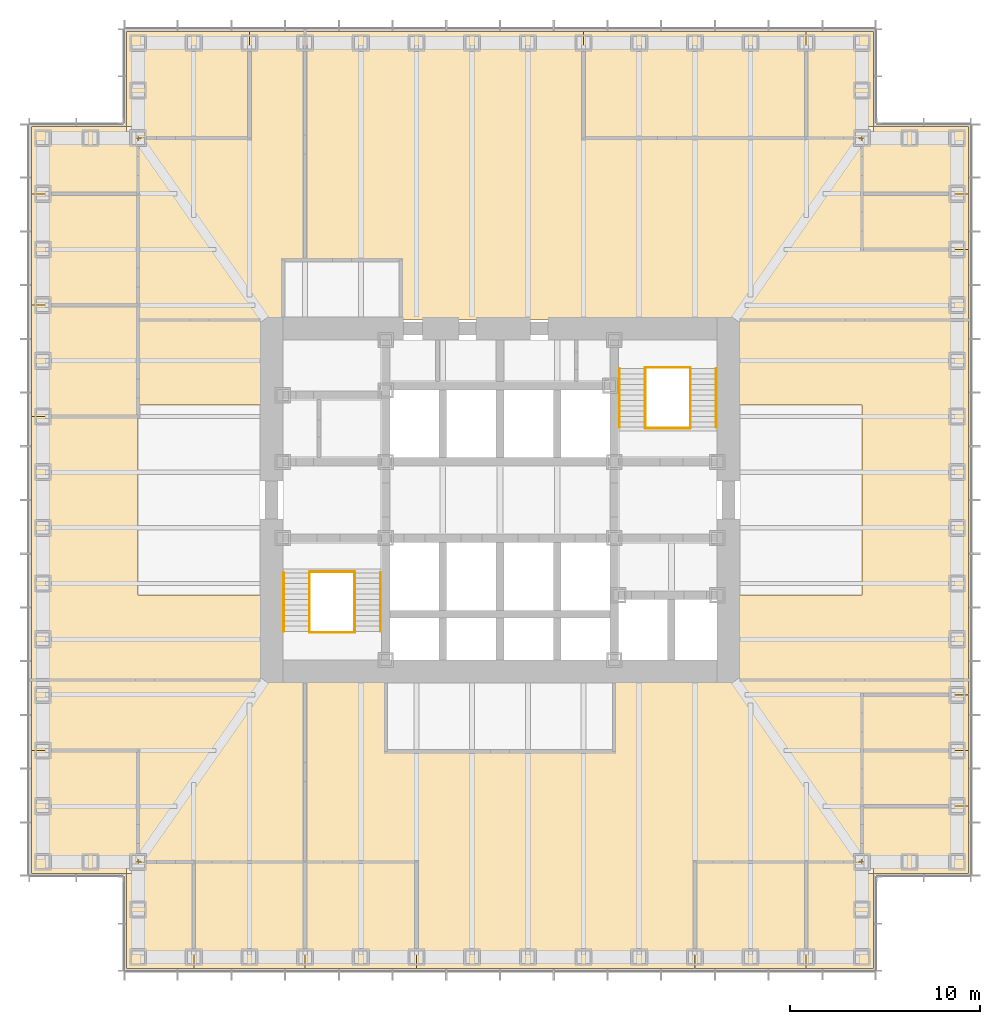
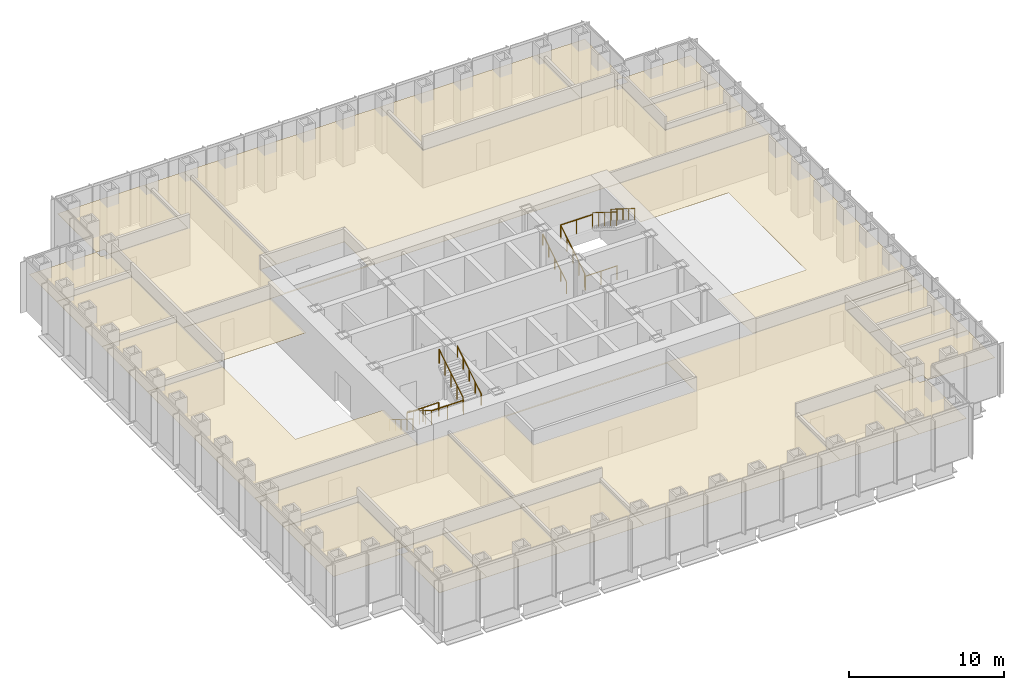
# One storey, part 17 of 17: 24 coverings, 12 railings.
"""IFC4 building model written with IfcOpenShell, lengths in metres."""

from ifc_helpers import new_model, si_unit, direction, frame, origin, origin_2d, place, context, subcontext, project, spatial, polyline, circle, outline, extrude, material, layer, layer_set, type_object, element, save


model = new_model("IFC4")

# Units and contexts
model_context = context("Model", 3, precision=1e-05, world=origin(), true_north=direction((0.0, 1.0)))
body_context = subcontext(model_context, "Body", "Model", "MODEL_VIEW")
ifc_project = project(units=[si_unit("LENGTHUNIT", "METRE"), si_unit("AREAUNIT", "SQUARE_METRE"), si_unit("VOLUMEUNIT", "CUBIC_METRE"), si_unit("PLANEANGLEUNIT", "RADIAN"), si_unit("MASSUNIT", "GRAM", prefix="KILO")], contexts=[model_context])

# Site, building, storey
site_placement = place(None, origin())
site = spatial("IfcSite", under=ifc_project, at=site_placement, CompositionType="ELEMENT")
building_placement = place(site_placement, origin())
building = spatial("IfcBuilding", under=site, at=building_placement, Name="Daluyong Arena Tower", CompositionType="ELEMENT")
storey_placement = place(building_placement, frame((0.0, 0.0, 89.5)))
storey = spatial("IfcBuildingStorey", under=building, at=storey_placement, Name="L19", CompositionType="ELEMENT", Elevation=89.5)

# Coverings
ifc_material_1 = material(Name="Mineral fibre ceiling tile", Category="gypsum board")
ifc_layer = layer(ifc_material_1, 0.02001953125)
ifc_layer_set = layer_set([ifc_layer], Name="Mineral fibre ceiling tile")
covering_type = type_object("IfcCoveringType", Name="Office ceiling", PredefinedType="CEILING", material=ifc_layer_set)
covering_1_placement = place(storey_placement, frame((0.0, 0.0, 2.89990234375)))
element("IfcCovering", 1, at=covering_1_placement, inside=storey, type_object=covering_type, Name="ceiling L19-01", PredefinedType="CEILING", context=body_context, shape_type="SweptSolid", body=[
    extrude(outline(polyline([(36.39990234375, 60.39990234375), (36.39990234375, 55.39990234375), (39.923095703125, 55.39990234375), (39.923095703125, 61.0), (37.0, 61.0), (37.0, 60.39990234375), (36.39990234375, 60.39990234375)])), origin(), (0.0, 0.0, 1.0), 0.02001953125),
])
covering_2_placement = place(storey_placement, frame((0.0, 0.0, 2.89990234375)))
element("IfcCovering", 2, at=covering_2_placement, inside=storey, type_object=covering_type, Name="ceiling L19-02", PredefinedType="CEILING", context=body_context, shape_type="SweptSolid", body=[
    extrude(outline(polyline([(39.923095703125, 61.0), (39.923095703125, 55.39990234375), (45.769287109375, 55.39990234375), (45.769287109375, 61.0), (39.923095703125, 61.0)])), origin(), (0.0, 0.0, 1.0), 0.02001953125),
])
covering_3_placement = place(storey_placement, frame((0.0, 0.0, 2.89990234375)))
element("IfcCovering", 3, at=covering_3_placement, inside=storey, type_object=covering_type, Name="ceiling L19-03", PredefinedType="CEILING", context=body_context, shape_type="SweptSolid", body=[
    extrude(outline(polyline([(45.769287109375, 61.0), (45.769287109375, 55.39990234375), (51.615478515625, 55.39990234375), (51.615478515625, 61.0), (45.769287109375, 61.0)])), origin(), (0.0, 0.0, 1.0), 0.02001953125),
])
covering_4_placement = place(storey_placement, frame((0.0, 0.0, 2.89990234375)))
element("IfcCovering", 4, at=covering_4_placement, inside=storey, type_object=covering_type, Name="ceiling L19-04", PredefinedType="CEILING", context=body_context, shape_type="SweptSolid", body=[
    extrude(outline(polyline([(66.230712890625, 61.0), (66.230712890625, 55.39990234375), (72.076904296875, 55.39990234375), (72.076904296875, 61.0), (66.230712890625, 61.0)])), origin(), (0.0, 0.0, 1.0), 0.02001953125),
])
covering_5_placement = place(storey_placement, frame((0.0, 0.0, 2.89990234375)))
element("IfcCovering", 5, at=covering_5_placement, inside=storey, type_object=covering_type, Name="ceiling L19-05", PredefinedType="CEILING", context=body_context, shape_type="SweptSolid", body=[
    extrude(outline(polyline([(75.60009765625, 55.39990234375), (75.60009765625, 60.39990234375), (75.0, 60.39990234375), (75.0, 61.0), (72.076904296875, 61.0), (72.076904296875, 55.39990234375), (75.60009765625, 55.39990234375)])), origin(), (0.0, 0.0, 1.0), 0.02001953125),
])
covering_6_placement = place(storey_placement, frame((0.0, 0.0, 2.89990234375)))
element("IfcCovering", 6, at=covering_6_placement, inside=storey, type_object=covering_type, Name="ceiling L19-06", PredefinedType="CEILING", context=body_context, shape_type="SweptSolid", body=[
    extrude(outline(polyline([(75.60009765625, 60.39990234375), (80.60009765625, 60.39990234375), (80.60009765625, 63.923095703125), (75.0, 63.923095703125), (75.0, 61.0), (75.60009765625, 61.0), (75.60009765625, 60.39990234375)])), origin(), (0.0, 0.0, 1.0), 0.02001953125),
])
covering_7_placement = place(storey_placement, frame((0.0, 0.0, 2.89990234375)))
element("IfcCovering", 7, at=covering_7_placement, inside=storey, type_object=covering_type, Name="ceiling L19-07", PredefinedType="CEILING", context=body_context, shape_type="SweptSolid", body=[
    extrude(outline(polyline([(75.0, 63.923095703125), (80.60009765625, 63.923095703125), (80.60009765625, 66.84619140625), (75.0, 66.84619140625), (75.0, 63.923095703125)])), origin(), (0.0, 0.0, 1.0), 0.02001953125),
])
covering_8_placement = place(storey_placement, frame((0.0, 0.0, 2.89990234375)))
element("IfcCovering", 8, at=covering_8_placement, inside=storey, type_object=covering_type, Name="ceiling L19-08", PredefinedType="CEILING", context=body_context, shape_type="SweptSolid", body=[
    extrude(outline(polyline([(75.0, 66.84619140625), (80.60009765625, 66.84619140625), (80.60009765625, 69.769287109375), (75.0, 69.769287109375), (75.0, 66.84619140625)])), origin(), (0.0, 0.0, 1.0), 0.02001953125),
])
covering_9_placement = place(storey_placement, frame((0.0, 0.0, 2.89990234375)))
element("IfcCovering", 9, at=covering_9_placement, inside=storey, type_object=covering_type, Name="ceiling L19-09", PredefinedType="CEILING", context=body_context, shape_type="SweptSolid", body=[
    extrude(outline(polyline([(75.0, 93.15380859375), (80.60009765625, 93.15380859375), (80.60009765625, 96.076904296875), (75.0, 96.076904296875), (75.0, 93.15380859375)])), origin(), (0.0, 0.0, 1.0), 0.02001953125),
])
covering_10_placement = place(storey_placement, frame((0.0, 0.0, 2.89990234375)))
element("IfcCovering", 10, at=covering_10_placement, inside=storey, type_object=covering_type, Name="ceiling L19-10", PredefinedType="CEILING", context=body_context, shape_type="SweptSolid", body=[
    extrude(outline(polyline([(75.0, 96.076904296875), (80.60009765625, 96.076904296875), (80.60009765625, 99.60009765625), (75.60009765625, 99.60009765625), (75.60009765625, 99.0), (75.0, 99.0), (75.0, 96.076904296875)])), origin(), (0.0, 0.0, 1.0), 0.02001953125),
])
covering_11_placement = place(storey_placement, frame((0.0, 0.0, 2.89990234375)))
element("IfcCovering", 11, at=covering_11_placement, inside=storey, type_object=covering_type, Name="ceiling L19-11", PredefinedType="CEILING", context=body_context, shape_type="SweptSolid", body=[
    extrude(outline(polyline([(42.84619140625, 99.0), (42.84619140625, 104.60009765625), (36.39990234375, 104.60009765625), (36.39990234375, 99.60009765625), (37.0, 99.60009765625), (37.0, 99.0), (42.84619140625, 99.0)])), origin(), (0.0, 0.0, 1.0), 0.02001953125),
])
covering_12_placement = place(storey_placement, frame((0.0, 0.0, 2.89990234375)))
element("IfcCovering", 12, at=covering_12_placement, inside=storey, type_object=covering_type, Name="ceiling L19-12", PredefinedType="CEILING", context=body_context, shape_type="SweptSolid", body=[
    extrude(outline(polyline([(72.076904296875, 99.0), (72.076904296875, 104.60009765625), (60.384521484375, 104.60009765625), (60.384521484375, 99.0), (72.076904296875, 99.0)])), origin(), (0.0, 0.0, 1.0), 0.02001953125),
])
covering_13_placement = place(storey_placement, frame((0.0, 0.0, 2.89990234375)))
element("IfcCovering", 13, at=covering_13_placement, inside=storey, type_object=covering_type, Name="ceiling L19-13", PredefinedType="CEILING", context=body_context, shape_type="SweptSolid", body=[
    extrude(outline(polyline([(72.076904296875, 99.0), (75.0, 99.0), (75.0, 99.60009765625), (75.60009765625, 99.60009765625), (75.60009765625, 104.60009765625), (72.076904296875, 104.60009765625), (72.076904296875, 99.0)])), origin(), (0.0, 0.0, 1.0), 0.02001953125),
])
covering_14_placement = place(storey_placement, frame((0.0, 0.0, 2.89990234375)))
element("IfcCovering", 14, at=covering_14_placement, inside=storey, type_object=covering_type, Name="ceiling L19-14", PredefinedType="CEILING", context=body_context, shape_type="SweptSolid", body=[
    extrude(outline(polyline([(31.39990234375, 60.39990234375), (36.39990234375, 60.39990234375), (36.39990234375, 61.0), (37.0, 61.0), (37.0, 66.84619140625), (31.39990234375, 66.84619140625), (31.39990234375, 60.39990234375)])), origin(), (0.0, 0.0, 1.0), 0.02001953125),
])
covering_15_placement = place(storey_placement, frame((0.0, 0.0, 2.89990234375)))
element("IfcCovering", 15, at=covering_15_placement, inside=storey, type_object=covering_type, Name="ceiling L19-15", PredefinedType="CEILING", context=body_context, shape_type="SweptSolid", body=[
    extrude(outline(polyline([(37.0, 90.230712890625), (31.39990234375, 90.230712890625), (31.39990234375, 84.384521484375), (37.0, 84.384521484375), (37.0, 90.230712890625)])), origin(), (0.0, 0.0, 1.0), 0.02001953125),
])
covering_16_placement = place(storey_placement, frame((0.0, 0.0, 2.89990234375)))
element("IfcCovering", 16, at=covering_16_placement, inside=storey, type_object=covering_type, Name="ceiling L19-16", PredefinedType="CEILING", context=body_context, shape_type="SweptSolid", body=[
    extrude(outline(polyline([(37.0, 96.076904296875), (31.39990234375, 96.076904296875), (31.39990234375, 90.230712890625), (37.0, 90.230712890625), (37.0, 96.076904296875)])), origin(), (0.0, 0.0, 1.0), 0.02001953125),
])
covering_17_placement = place(storey_placement, frame((0.0, 0.0, 2.89990234375)))
element("IfcCovering", 17, at=covering_17_placement, inside=storey, type_object=covering_type, Name="ceiling L19-17", PredefinedType="CEILING", context=body_context, shape_type="SweptSolid", body=[
    extrude(outline(polyline([(37.0, 96.076904296875), (37.0, 99.0), (36.39990234375, 99.0), (36.39990234375, 99.60009765625), (31.39990234375, 99.60009765625), (31.39990234375, 96.076904296875), (37.0, 96.076904296875)])), origin(), (0.0, 0.0, 1.0), 0.02001953125),
])
covering_18_placement = place(storey_placement, frame((0.0, 0.0, 2.89990234375)))
element("IfcCovering", 18, at=covering_18_placement, inside=storey, type_object=covering_type, Name="ceiling L19-22", PredefinedType="CEILING", context=body_context, shape_type="SweptSolid", body=[
    extrude(outline(polyline([(68.449951171875, 75.0), (68.449951171875, 70.550048828125), (80.60009765625, 70.550048828125), (80.60009765625, 89.449951171875), (68.449951171875, 89.449951171875), (68.449951171875, 85.0), (75.0, 85.0), (75.0, 75.0), (68.449951171875, 75.0)])), origin(), (0.0, 0.0, 1.0), 0.02001953125),
])
covering_19_placement = place(storey_placement, frame((0.0, 0.0, 2.89990234375)))
element("IfcCovering", 19, at=covering_19_placement, inside=storey, type_object=covering_type, Name="ceiling L19-23", PredefinedType="CEILING", context=body_context, shape_type="SweptSolid", body=[
    extrude(outline(polyline([(43.550048828125, 75.0), (37.0, 75.0), (37.0, 84.384521484375), (31.39990234375, 84.384521484375), (31.39990234375, 70.550048828125), (43.550048828125, 70.550048828125), (43.550048828125, 75.0)])), origin(), (0.0, 0.0, 1.0), 0.02001953125),
])
covering_20_placement = place(storey_placement, frame((0.0, 0.0, 2.89990234375)))
element("IfcCovering", 20, at=covering_20_placement, inside=storey, type_object=covering_type, Name="ceiling L19-24", PredefinedType="CEILING", context=body_context, shape_type="SweptSolid", body=[
    extrude(outline(polyline([(43.550048828125, 85.0), (43.550048828125, 89.449951171875), (37.0, 89.449951171875), (37.0, 85.0), (43.550048828125, 85.0)])), origin(), (0.0, 0.0, 1.0), 0.02001953125),
])
covering_21_placement = place(storey_placement, frame((0.0, 0.0, 2.89990234375)))
element("IfcCovering", 21, at=covering_21_placement, inside=storey, type_object=covering_type, Name="ceiling L19-25", PredefinedType="CEILING", context=body_context, shape_type="SweptSolid", body=[
    extrude(outline(polyline([(37.010009765625, 61.010009765625), (45.75927734375, 61.010009765625), (45.75927734375, 70.5400390625), (31.409912109375, 70.5400390625), (31.409912109375, 66.856201171875), (37.010009765625, 66.856201171875), (37.010009765625, 61.010009765625)])), origin(), (0.0, 0.0, 1.0), 0.02001953125),
])
covering_22_placement = place(storey_placement, frame((0.0, 0.0, 2.89990234375)))
element("IfcCovering", 22, at=covering_22_placement, inside=storey, type_object=covering_type, Name="ceiling L19-26", PredefinedType="CEILING", context=body_context, shape_type="SweptSolid", body=[
    extrude(outline(polyline([(74.989990234375, 61.010009765625), (74.989990234375, 69.779296875), (80.590087890625, 69.779296875), (80.590087890625, 70.5400390625), (45.779296875, 70.5400390625), (45.779296875, 61.010009765625), (51.62548828125, 61.010009765625), (51.62548828125, 55.409912109375), (66.220703125, 55.409912109375), (66.220703125, 61.010009765625), (74.989990234375, 61.010009765625)]), holes=[polyline([(62.010009765625, 66.7900390625), (49.989990234375, 66.7900390625), (49.989990234375, 70.409912109375), (62.010009765625, 70.409912109375), (62.010009765625, 66.7900390625)])]), origin(), (0.0, 0.0, 1.0), 0.02001953125),
])
covering_23_placement = place(storey_placement, frame((0.0, 0.0, 2.89990234375)))
element("IfcCovering", 23, at=covering_23_placement, inside=storey, type_object=covering_type, Name="ceiling L19-27", PredefinedType="CEILING", context=body_context, shape_type="SweptSolid", body=[
    extrude(outline(polyline([(37.010009765625, 98.989990234375), (37.010009765625, 89.4599609375), (45.75927734375, 89.4599609375), (45.75927734375, 89.590087890625), (44.590087890625, 89.590087890625), (44.590087890625, 92.610107421875), (45.75927734375, 92.610107421875), (45.75927734375, 104.590087890625), (42.856201171875, 104.590087890625), (42.856201171875, 98.989990234375), (37.010009765625, 98.989990234375)])), origin(), (0.0, 0.0, 1.0), 0.02001953125),
])
covering_24_placement = place(storey_placement, frame((0.0, 0.0, 2.89990234375)))
element("IfcCovering", 24, at=covering_24_placement, inside=storey, type_object=covering_type, Name="ceiling L19-28", PredefinedType="CEILING", context=body_context, shape_type="SweptSolid", body=[
    extrude(outline(polyline([(45.779296875, 89.590087890625), (45.779296875, 89.4599609375), (80.590087890625, 89.4599609375), (80.590087890625, 93.143798828125), (74.989990234375, 93.143798828125), (74.989990234375, 98.989990234375), (60.37451171875, 98.989990234375), (60.37451171875, 104.590087890625), (45.779296875, 104.590087890625), (45.779296875, 92.610107421875), (50.81005859375, 92.610107421875), (50.81005859375, 89.590087890625), (45.779296875, 89.590087890625)])), origin(), (0.0, 0.0, 1.0), 0.02001953125),
])

# Railings
ifc_material_2 = material(Name="Stainless steel handrail", Category="steel")
railing_type_1 = type_object("IfcRailingType", Name="Stair handrail", PredefinedType="HANDRAIL", material=ifc_material_2)
railing_1_placement = place(storey_placement, frame((44.64990234375, 76.175048828125, 0.175048828125)))
element("IfcRailing", 25, at=railing_1_placement, inside=storey, type_object=railing_type_1, Name="exit stair A handrail L19", PredefinedType="HANDRAIL", context=body_context, shape_type="SweptSolid", body=[
    extrude(circle(Radius=0.02392578125, at=origin_2d()), frame((0.0, 0.0, 0.8759765625), z_axis=(0.0, -0.847998304005, 0.529998940003), x_axis=(1.0, 0.0, 0.0)), (0.0, 0.0, 1.0), 3.632080078125),
    extrude(circle(Radius=0.02099609375, at=origin_2d()), origin(), (0.0, 0.0, 1.0), 0.851806640625),
    extrude(circle(Radius=0.02099609375, at=origin_2d()), frame((0.0, -0.77001953125, 0.481201171875)), (0.0, 0.0, 1.0), 0.851806640625),
    extrude(circle(Radius=0.02099609375, at=origin_2d()), frame((0.0, -1.5400390625, 0.96240234375)), (0.0, 0.0, 1.0), 0.851806640625),
    extrude(circle(Radius=0.02099609375, at=origin_2d()), frame((0.0, -2.31005859375, 1.44384765625)), (0.0, 0.0, 1.0), 0.851806640625),
    extrude(circle(Radius=0.02099609375, at=origin_2d()), frame((0.0, -3.080078125, 1.925048828125)), (0.0, 0.0, 1.0), 0.851806640625),
])
for number, where, name in (
    (26, (49.72509765625, 73.094970703125, 2.27490234375), "exit stair A handrail L19"),
    (27, (62.27490234375, 83.824951171875, 0.175048828125), "exit stair B handrail L19"),
):
    element("IfcRailing", number, at=place(storey_placement, frame(where)), inside=storey, type_object=railing_type_1, Name=name, PredefinedType="HANDRAIL", context=body_context, shape_type="SweptSolid", body=[
        extrude(circle(Radius=0.02392578125, at=origin_2d()), frame((0.0, 0.0, 0.8759765625), z_axis=(0.0, 0.847998304005, 0.529998940003), x_axis=(-1.0, 0.0, 0.0)), (0.0, 0.0, 1.0), 3.632080078125),
        extrude(circle(Radius=0.02099609375, at=origin_2d()), origin(), (0.0, 0.0, 1.0), 0.851806640625),
        extrude(circle(Radius=0.02099609375, at=origin_2d()), frame((0.0, 0.77001953125, 0.481201171875)), (0.0, 0.0, 1.0), 0.851806640625),
        extrude(circle(Radius=0.02099609375, at=origin_2d()), frame((0.0, 1.5400390625, 0.96240234375)), (0.0, 0.0, 1.0), 0.851806640625),
        extrude(circle(Radius=0.02099609375, at=origin_2d()), frame((0.0, 2.31005859375, 1.44384765625)), (0.0, 0.0, 1.0), 0.851806640625),
        extrude(circle(Radius=0.02099609375, at=origin_2d()), frame((0.0, 3.080078125, 1.925048828125)), (0.0, 0.0, 1.0), 0.851806640625),
    ])
railing_2_placement = place(storey_placement, frame((67.35009765625, 86.905029296875, 2.27490234375)))
element("IfcRailing", 28, at=railing_2_placement, inside=storey, type_object=railing_type_1, Name="exit stair B handrail L19", PredefinedType="HANDRAIL", context=body_context, shape_type="SweptSolid", body=[
    extrude(circle(Radius=0.02392578125, at=origin_2d()), frame((0.0, 0.0, 0.8759765625), z_axis=(0.0, -0.847998304005, 0.529998940003), x_axis=(1.0, 0.0, 0.0)), (0.0, 0.0, 1.0), 3.632080078125),
    extrude(circle(Radius=0.02099609375, at=origin_2d()), origin(), (0.0, 0.0, 1.0), 0.851806640625),
    extrude(circle(Radius=0.02099609375, at=origin_2d()), frame((0.0, -0.77001953125, 0.481201171875)), (0.0, 0.0, 1.0), 0.851806640625),
    extrude(circle(Radius=0.02099609375, at=origin_2d()), frame((0.0, -1.5400390625, 0.96240234375)), (0.0, 0.0, 1.0), 0.851806640625),
    extrude(circle(Radius=0.02099609375, at=origin_2d()), frame((0.0, -2.31005859375, 1.44384765625)), (0.0, 0.0, 1.0), 0.851806640625),
    extrude(circle(Radius=0.02099609375, at=origin_2d()), frame((0.0, -3.080078125, 1.925048828125)), (0.0, 0.0, 1.0), 0.851806640625),
])
ifc_material_3 = material(Name="Steel balustrade", Category="steel")
railing_type_2 = type_object("IfcRailingType", Name="Stair well guard 1100", PredefinedType="GUARDRAIL", material=ifc_material_3)
railing_3_placement = place(storey_placement, frame((46.0, 76.175048828125, 0.175048828125)))
element("IfcRailing", 29, at=railing_3_placement, inside=storey, type_object=railing_type_2, Name="exit stair A well guard L19", PredefinedType="GUARDRAIL", context=body_context, shape_type="SweptSolid", body=[
    extrude(circle(Radius=0.02392578125, at=origin_2d()), frame((0.0, 0.0, 1.076171875), z_axis=(0.0, -0.847998304005, 0.529998940003), x_axis=(1.0, 0.0, 0.0)), (0.0, 0.0, 1.0), 3.632080078125),
    extrude(circle(Radius=0.02099609375, at=origin_2d()), origin(), (0.0, 0.0, 1.0), 1.052001953125),
    extrude(circle(Radius=0.02099609375, at=origin_2d()), frame((0.0, -0.77001953125, 0.481201171875)), (0.0, 0.0, 1.0), 1.052001953125),
    extrude(circle(Radius=0.02099609375, at=origin_2d()), frame((0.0, -1.5400390625, 0.96240234375)), (0.0, 0.0, 1.0), 1.052001953125),
    extrude(circle(Radius=0.02099609375, at=origin_2d()), frame((0.0, -2.31005859375, 1.44384765625)), (0.0, 0.0, 1.0), 1.052001953125),
    extrude(circle(Radius=0.02099609375, at=origin_2d()), frame((0.0, -3.080078125, 1.925048828125)), (0.0, 0.0, 1.0), 1.052001953125),
])
railing_4_placement = place(storey_placement, frame((48.375, 73.094970703125, 2.27490234375)))
element("IfcRailing", 30, at=railing_4_placement, inside=storey, type_object=railing_type_2, Name="exit stair A well guard L19", PredefinedType="GUARDRAIL", context=body_context, shape_type="SweptSolid", body=[
    extrude(circle(Radius=0.02392578125, at=origin_2d()), frame((0.0, 0.0, 1.076171875), z_axis=(0.0, 0.847998304005, 0.529998940003), x_axis=(-1.0, 0.0, 0.0)), (0.0, 0.0, 1.0), 3.632080078125),
    extrude(circle(Radius=0.02099609375, at=origin_2d()), origin(), (0.0, 0.0, 1.0), 1.052001953125),
    extrude(circle(Radius=0.02099609375, at=origin_2d()), frame((0.0, 0.77001953125, 0.481201171875)), (0.0, 0.0, 1.0), 1.052001953125),
    extrude(circle(Radius=0.02099609375, at=origin_2d()), frame((0.0, 1.5400390625, 0.96240234375)), (0.0, 0.0, 1.0), 1.052001953125),
    extrude(circle(Radius=0.02099609375, at=origin_2d()), frame((0.0, 2.31005859375, 1.44384765625)), (0.0, 0.0, 1.0), 1.052001953125),
    extrude(circle(Radius=0.02099609375, at=origin_2d()), frame((0.0, 3.080078125, 1.925048828125)), (0.0, 0.0, 1.0), 1.052001953125),
])
for number, where, name in (
    (31, (46.0, 73.044921875, 2.10009765625), "exit stair A landing guard L19"),
    (32, (46.0, 76.22509765625, 0.0), "exit stair A floor landing guard L19"),
):
    element("IfcRailing", number, at=place(storey_placement, frame(where)), inside=storey, type_object=railing_type_2, Name=name, PredefinedType="GUARDRAIL", context=body_context, shape_type="SweptSolid", body=[
        extrude(circle(Radius=0.02392578125, at=origin_2d()), frame((0.0, 0.0, 1.076171875), z_axis=(1.0, 0.0, 0.0), x_axis=(0.0, 1.0, 0.0)), (0.0, 0.0, 1.0), 2.375),
        extrude(circle(Radius=0.02099609375, at=origin_2d()), origin(), (0.0, 0.0, 1.0), 1.052001953125),
        extrude(circle(Radius=0.02099609375, at=origin_2d()), frame((1.1875, 0.0, 0.0)), (0.0, 0.0, 1.0), 1.052001953125),
        extrude(circle(Radius=0.02099609375, at=origin_2d()), frame((2.375, 0.0, 0.0)), (0.0, 0.0, 1.0), 1.052001953125),
    ])
railing_5_placement = place(storey_placement, frame((63.625, 83.824951171875, 0.175048828125)))
element("IfcRailing", 33, at=railing_5_placement, inside=storey, type_object=railing_type_2, Name="exit stair B well guard L19", PredefinedType="GUARDRAIL", context=body_context, shape_type="SweptSolid", body=[
    extrude(circle(Radius=0.02392578125, at=origin_2d()), frame((0.0, 0.0, 1.076171875), z_axis=(0.0, 0.847998304005, 0.529998940003), x_axis=(-1.0, 0.0, 0.0)), (0.0, 0.0, 1.0), 3.632080078125),
    extrude(circle(Radius=0.02099609375, at=origin_2d()), origin(), (0.0, 0.0, 1.0), 1.052001953125),
    extrude(circle(Radius=0.02099609375, at=origin_2d()), frame((0.0, 0.77001953125, 0.481201171875)), (0.0, 0.0, 1.0), 1.052001953125),
    extrude(circle(Radius=0.02099609375, at=origin_2d()), frame((0.0, 1.5400390625, 0.96240234375)), (0.0, 0.0, 1.0), 1.052001953125),
    extrude(circle(Radius=0.02099609375, at=origin_2d()), frame((0.0, 2.31005859375, 1.44384765625)), (0.0, 0.0, 1.0), 1.052001953125),
    extrude(circle(Radius=0.02099609375, at=origin_2d()), frame((0.0, 3.080078125, 1.925048828125)), (0.0, 0.0, 1.0), 1.052001953125),
])
railing_6_placement = place(storey_placement, frame((66.0, 86.905029296875, 2.27490234375)))
element("IfcRailing", 34, at=railing_6_placement, inside=storey, type_object=railing_type_2, Name="exit stair B well guard L19", PredefinedType="GUARDRAIL", context=body_context, shape_type="SweptSolid", body=[
    extrude(circle(Radius=0.02392578125, at=origin_2d()), frame((0.0, 0.0, 1.076171875), z_axis=(0.0, -0.847998304005, 0.529998940003), x_axis=(1.0, 0.0, 0.0)), (0.0, 0.0, 1.0), 3.632080078125),
    extrude(circle(Radius=0.02099609375, at=origin_2d()), origin(), (0.0, 0.0, 1.0), 1.052001953125),
    extrude(circle(Radius=0.02099609375, at=origin_2d()), frame((0.0, -0.77001953125, 0.481201171875)), (0.0, 0.0, 1.0), 1.052001953125),
    extrude(circle(Radius=0.02099609375, at=origin_2d()), frame((0.0, -1.5400390625, 0.96240234375)), (0.0, 0.0, 1.0), 1.052001953125),
    extrude(circle(Radius=0.02099609375, at=origin_2d()), frame((0.0, -2.31005859375, 1.44384765625)), (0.0, 0.0, 1.0), 1.052001953125),
    extrude(circle(Radius=0.02099609375, at=origin_2d()), frame((0.0, -3.080078125, 1.925048828125)), (0.0, 0.0, 1.0), 1.052001953125),
])
for number, where, name in (
    (35, (63.625, 86.955078125, 2.10009765625), "exit stair B landing guard L19"),
    (36, (63.625, 83.77490234375, 0.0), "exit stair B floor landing guard L19"),
):
    element("IfcRailing", number, at=place(storey_placement, frame(where)), inside=storey, type_object=railing_type_2, Name=name, PredefinedType="GUARDRAIL", context=body_context, shape_type="SweptSolid", body=[
        extrude(circle(Radius=0.02392578125, at=origin_2d()), frame((0.0, 0.0, 1.076171875), z_axis=(1.0, 0.0, 0.0), x_axis=(0.0, 1.0, 0.0)), (0.0, 0.0, 1.0), 2.375),
        extrude(circle(Radius=0.02099609375, at=origin_2d()), origin(), (0.0, 0.0, 1.0), 1.052001953125),
        extrude(circle(Radius=0.02099609375, at=origin_2d()), frame((1.1875, 0.0, 0.0)), (0.0, 0.0, 1.0), 1.052001953125),
        extrude(circle(Radius=0.02099609375, at=origin_2d()), frame((2.375, 0.0, 0.0)), (0.0, 0.0, 1.0), 1.052001953125),
    ])

save(model, "model.ifc")
